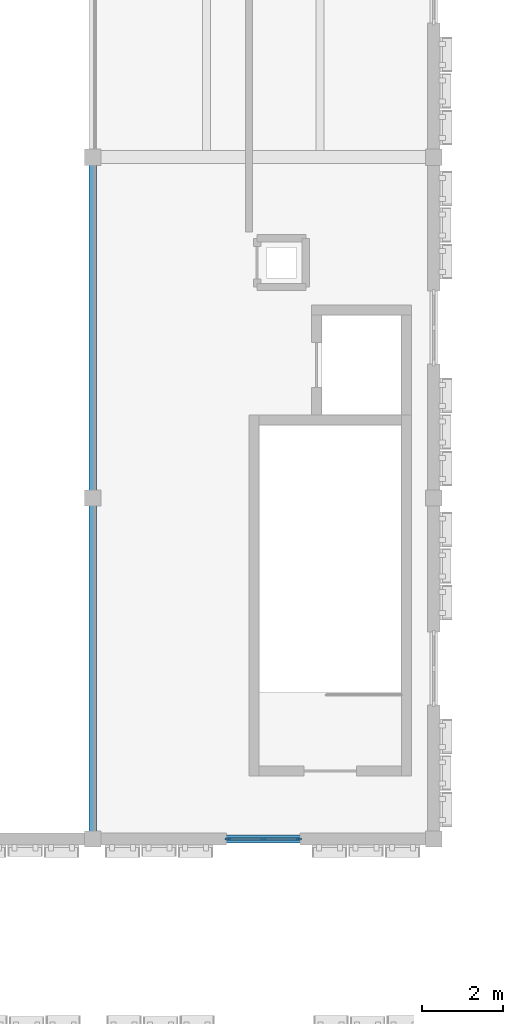
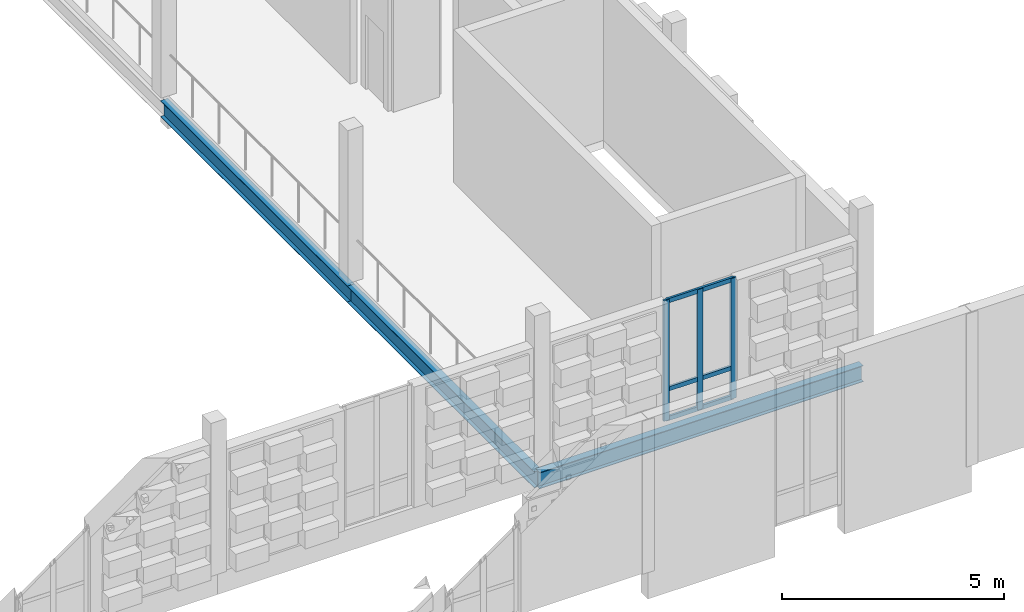
# One storey, part 10 of 81: 6 members, 3 beams, 1 element without a shape of its own.
"""IFC4 building model written with IfcOpenShell, lengths in metres."""

from ifc_helpers import new_model, si_unit, direction, frame, origin, origin_2d, place, context, subcontext, project, spatial, rectangle, i_section, extrude, material, material_profile, profile_set, type_object, element, aggregate, save


model = new_model("IFC4")

# Units and contexts
model_context = context("Model", 3, precision=1e-05, world=origin(), true_north=direction((0.0, 1.0)))
body_context = subcontext(model_context, "Body", "Model", "MODEL_VIEW")
ifc_project = project(units=[si_unit("LENGTHUNIT", "METRE"), si_unit("AREAUNIT", "SQUARE_METRE"), si_unit("VOLUMEUNIT", "CUBIC_METRE"), si_unit("PLANEANGLEUNIT", "RADIAN"), si_unit("MASSUNIT", "GRAM", prefix="KILO")], contexts=[model_context])

# Site, building, storey
site_placement = place(None, origin())
site = spatial("IfcSite", under=ifc_project, at=site_placement, CompositionType="ELEMENT")
building_placement = place(site_placement, origin())
building = spatial("IfcBuilding", under=site, at=building_placement, Name="Kahlenmark Community Centre", CompositionType="ELEMENT")
storey_placement = place(building_placement, frame((0.0, 0.0, 9.60009765625)))
storey = spatial("IfcBuildingStorey", under=building, at=storey_placement, Name="L02", CompositionType="ELEMENT", Elevation=9.60009765625)

# Beams
ifc_material_1 = material(Name="Steel S355", Category="steel")
ifc_material_profile_1 = material_profile(ifc_material_1, i_section(OverallWidth=0.18994140625, OverallDepth=0.449951171875, WebThickness=0.009521484375, FlangeThickness=0.0146484375, at=origin_2d()), Name="IPE 450")
ifc_profile_set_1 = profile_set([ifc_material_profile_1], Name="Steel S355")
beam_type = type_object("IfcBeamType", Name="BT-SPANDREL-IPE450", PredefinedType="SPANDREL", material=ifc_profile_set_1)
for number, where, z_axis, x_axis, name in (
    (1, (29.199951171875, 42.39990234375, -0.445068359375), (1.0, 0.0, 0.0), (0.0, 1.0, 0.0), "L02 spandrel SP-IPE450"),
    (2, (29.199951171875, 42.39990234375, -0.445068359375), (0.0, 1.0, 0.0), (-1.0, 0.0, 0.0), "L02 spandrel SP-IPE450"),
):
    element("IfcBeam", number, at=place(storey_placement, frame(where, z_axis=z_axis, x_axis=x_axis)), inside=storey, type_object=beam_type, Name=name, PredefinedType="SPANDREL", context=body_context, shape_type="SweptSolid", body=[
        extrude(i_section(OverallWidth=0.18994140625, OverallDepth=0.449951171875, WebThickness=0.009521484375, FlangeThickness=0.0146484375, at=origin_2d()), origin(), (0.0, 0.0, 1.0), 8.400146484375),
    ])
beam_placement = place(storey_placement, frame((29.199951171875, 50.800048828125, -0.445068359375), z_axis=(0.0, 1.0, 0.0), x_axis=(-1.0, 0.0, 0.0)))
element("IfcBeam", 3, at=beam_placement, inside=storey, type_object=beam_type, Name="L02 spandrel SP-IPE450", PredefinedType="SPANDREL", context=body_context, shape_type="SweptSolid", body=[
    extrude(i_section(OverallWidth=0.18994140625, OverallDepth=0.449951171875, WebThickness=0.009521484375, FlangeThickness=0.0146484375, at=origin_2d()), origin(), (0.0, 0.0, 1.0), 8.39990234375),
])

# Curtain wall, members
ifc_material_2 = material(Name="Anodised aluminium unitised curtain wall", Category="aluminium")
curtain_wall_type = type_object("IfcCurtainWallType", Name="CWT-UNIT-180X331", PredefinedType="USERDEFINED", material=ifc_material_2)
curtain_wall_placement = place(storey_placement, origin())
curtain_wall = element("IfcCurtainWall", 4, at=curtain_wall_placement, inside=storey, type_object=curtain_wall_type, Name="Unitised curtain wall CW-073", ObjectType="UNITISED CURTAIN WALL", PredefinedType="USERDEFINED")
ifc_material_3 = material(Name="Anodised aluminium 6063-T6", Category="aluminium")
ifc_material_profile_2 = material_profile(ifc_material_3, rectangle(XDim=0.06005859375, YDim=0.139892578125, at=origin_2d()), Name="ALU MULLION 60x140")
ifc_profile_set_2 = profile_set([ifc_material_profile_2], Name="Anodised aluminium 6063-T6")
member_type_1 = type_object("IfcMemberType", Name="MT-MUL-140", PredefinedType="MULLION", material=ifc_profile_set_2)
member_1_placement = place(storey_placement, frame((32.530029296875, 42.39990234375, 0.0), z_axis=(0.0, 0.0, 1.0), x_axis=(0.0, 1.0, 0.0)))
member_1 = element("IfcMember", 5, at=member_1_placement, type_object=member_type_1, Name="CW-073 mullion 1", PredefinedType="MULLION", context=body_context, shape_type="SweptSolid", body=[
    extrude(rectangle(XDim=0.06005859375, YDim=0.139892578125, at=origin_2d()), origin(), (0.0, 0.0, 1.0), 3.309814453125),
])
member_2_placement = place(storey_placement, frame((33.39990234375, 42.39990234375, 0.0), z_axis=(0.0, 0.0, 1.0), x_axis=(0.0, 1.0, 0.0)))
member_2 = element("IfcMember", 6, at=member_2_placement, type_object=member_type_1, Name="CW-073 mullion 2", PredefinedType="MULLION", context=body_context, shape_type="SweptSolid", body=[
    extrude(rectangle(XDim=0.06005859375, YDim=0.139892578125, at=origin_2d()), origin(), (0.0, 0.0, 1.0), 3.309814453125),
])
member_3_placement = place(storey_placement, frame((34.27001953125, 42.39990234375, 0.0), z_axis=(0.0, 0.0, 1.0), x_axis=(0.0, 1.0, 0.0)))
member_3 = element("IfcMember", 7, at=member_3_placement, type_object=member_type_1, Name="CW-073 mullion 3", PredefinedType="MULLION", context=body_context, shape_type="SweptSolid", body=[
    extrude(rectangle(XDim=0.06005859375, YDim=0.139892578125, at=origin_2d()), origin(), (0.0, 0.0, 1.0), 3.309814453125),
])
ifc_material_profile_3 = material_profile(ifc_material_3, rectangle(XDim=0.06005859375, YDim=0.1201171875, at=origin_2d()), Name="ALU TRANSOM 60x120")
ifc_profile_set_3 = profile_set([ifc_material_profile_3], Name="Anodised aluminium 6063-T6")
member_type_2 = type_object("IfcMemberType", Name="MT-TRN-120", PredefinedType="USERDEFINED", material=ifc_profile_set_3)
member_4_placement = place(storey_placement, frame((32.530029296875, 42.39990234375, 0.039794921875), z_axis=(1.0, 0.0, 0.0), x_axis=(0.0, 1.0, 0.0)))
member_4 = element("IfcMember", 8, at=member_4_placement, type_object=member_type_2, Name="CW-073 transom 1", ObjectType="TRANSOM", PredefinedType="USERDEFINED", context=body_context, shape_type="SweptSolid", body=[
    extrude(rectangle(XDim=0.06005859375, YDim=0.1201171875, at=origin_2d()), origin(), (0.0, 0.0, 1.0), 1.739990234375),
])
member_5_placement = place(storey_placement, frame((32.530029296875, 42.39990234375, 0.849853515625), z_axis=(1.0, 0.0, 0.0), x_axis=(0.0, 1.0, 0.0)))
member_5 = element("IfcMember", 9, at=member_5_placement, type_object=member_type_2, Name="CW-073 transom 2", ObjectType="TRANSOM", PredefinedType="USERDEFINED", context=body_context, shape_type="SweptSolid", body=[
    extrude(rectangle(XDim=0.06005859375, YDim=0.1201171875, at=origin_2d()), origin(), (0.0, 0.0, 1.0), 1.739990234375),
])
member_6_placement = place(storey_placement, frame((32.530029296875, 42.39990234375, 3.27001953125), z_axis=(1.0, 0.0, 0.0), x_axis=(0.0, 1.0, 0.0)))
member_6 = element("IfcMember", 10, at=member_6_placement, type_object=member_type_2, Name="CW-073 transom 3", ObjectType="TRANSOM", PredefinedType="USERDEFINED", context=body_context, shape_type="SweptSolid", body=[
    extrude(rectangle(XDim=0.06005859375, YDim=0.1201171875, at=origin_2d()), origin(), (0.0, 0.0, 1.0), 1.739990234375),
])
aggregate(curtain_wall, [member_1, member_2, member_3, member_4, member_5, member_6])

save(model, "model.ifc")
